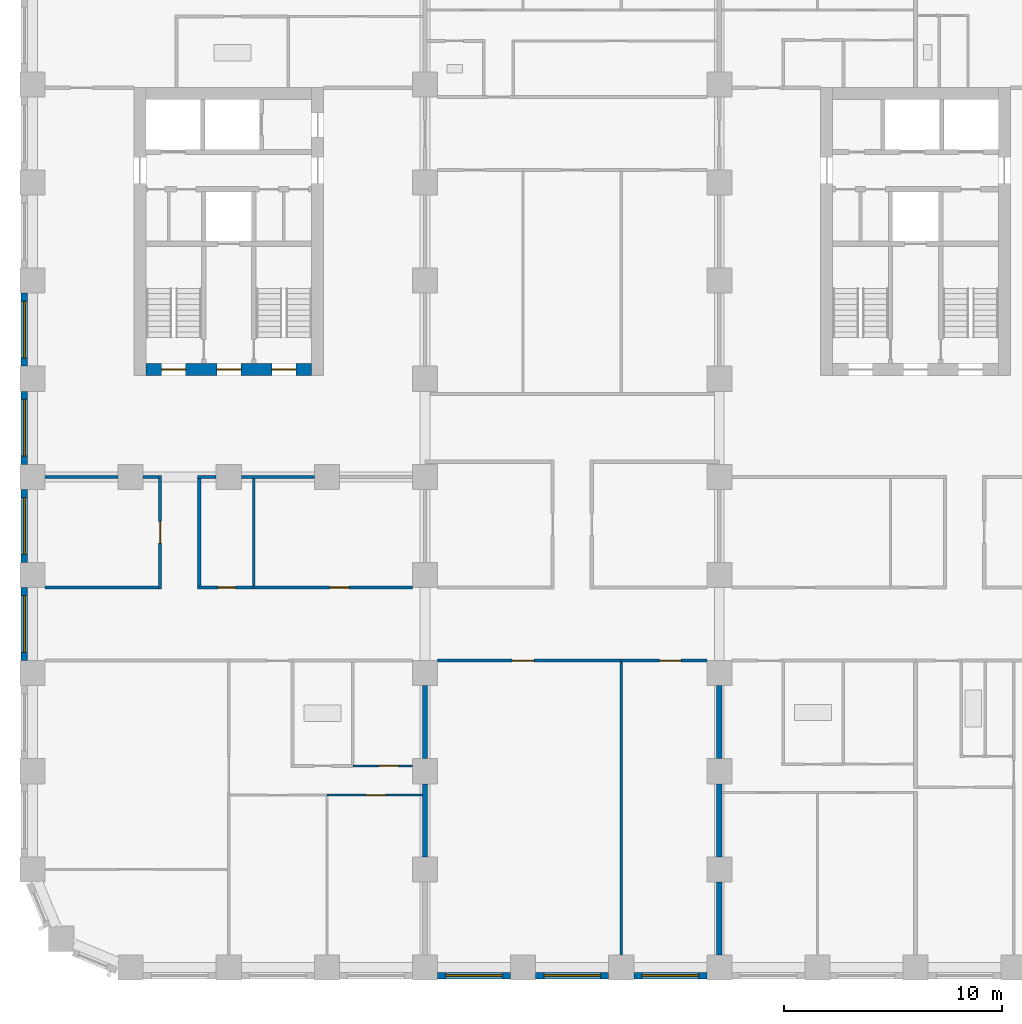
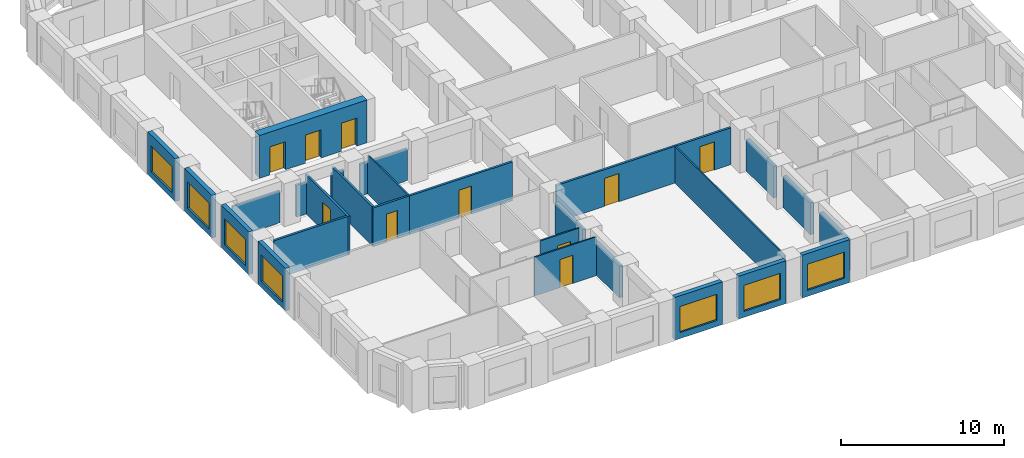
# One storey, part 3 of 13: 28 walls, 10 doors, 7 windows, 17 openings.
"""IFC4 building model written with IfcOpenShell, lengths in metres."""

from ifc_helpers import new_model, si_unit, direction, frame, frame_2d, origin, place, context, subcontext, project, spatial, rectangle, extrude, material, layer, layer_set, type_object, element, fill, save


model = new_model("IFC4")

# Units and contexts
model_context = context("Model", 3, precision=1e-05, world=origin(), true_north=direction((0.0, 1.0)))
body_context = subcontext(model_context, "Body", "Model", "MODEL_VIEW")
ifc_project = project(units=[si_unit("LENGTHUNIT", "METRE"), si_unit("AREAUNIT", "SQUARE_METRE"), si_unit("VOLUMEUNIT", "CUBIC_METRE"), si_unit("PLANEANGLEUNIT", "RADIAN"), si_unit("MASSUNIT", "GRAM", prefix="KILO")], contexts=[model_context])

# Site, building, storey
site_placement = place(None, origin())
site = spatial("IfcSite", under=ifc_project, at=site_placement, CompositionType="ELEMENT")
building_placement = place(site_placement, origin())
building = spatial("IfcBuilding", under=site, at=building_placement, Name="Girih Gate Residences", CompositionType="ELEMENT")
storey_placement = place(building_placement, frame((0.0, 0.0, 89.60009765625)))
storey = spatial("IfcBuildingStorey", under=building, at=storey_placement, Name="L24", CompositionType="ELEMENT", Elevation=89.60009765625)

# Walls
ifc_material_1 = material(Name="Gypsum board on steel studs", Category="steel")
ifc_layer_1 = layer(ifc_material_1, 0.25)
ifc_layer_set_1 = layer_set([ifc_layer_1], Name="Acoustic separating wall 250 mm")
wall_type_1 = type_object("IfcWallType", Name="Acoustic separating wall 250 mm", PredefinedType="PARTITIONING", material=ifc_layer_set_1)
for number, where, z_axis, x_axis, name in (
    (1, (18.0, 5.074951171875, 0.0), (0.0, 0.0, 1.0), (0.0, 1.0, 0.0), "L24 partition"),
    (2, (18.0, 9.574951171875, 0.0), (0.0, 0.0, 1.0), (0.0, 1.0, 0.0), "L24 partition"),
    (3, (31.5, 9.574951171875, 0.0), (0.0, 0.0, 1.0), (0.0, 1.0, 0.0), "L24 partition"),
    (4, (31.5, 0.574951171875, 0.0), (0.0, 0.0, 1.0), (0.0, 1.0, 0.0), "L24 partition"),
    (5, (31.5, 5.074951171875, 0.0), (0.0, 0.0, 1.0), (0.0, 1.0, 0.0), "L24 partition"),
):
    element("IfcWall", number, at=place(storey_placement, frame(where, z_axis=z_axis, x_axis=x_axis)), inside=storey, type_object=wall_type_1, Name=name, PredefinedType="PARTITIONING", context=body_context, shape_type="SweptSolid", body=[
        extrude(rectangle(XDim=3.35009765625, YDim=0.25, at=frame_2d((1.675048828125, 0.0))), origin(), (0.0, 0.0, 1.0), 2.3798828125),
    ])

# Wall, opening, door
ifc_layer_2 = layer(ifc_material_1, 0.14990234375)
ifc_layer_set_2 = layer_set([ifc_layer_2], Name="Compartment wall 150 mm")
wall_type_2 = type_object("IfcWallType", Name="Compartment wall 150 mm", PredefinedType="PARTITIONING", material=ifc_layer_set_2)
wall_1_placement = place(storey_placement, frame((27.0, 14.074951171875, 0.0), z_axis=(0.0, 0.0, 1.0), x_axis=(-1.0, 0.0, 0.0)))
wall_1 = element("IfcWall", 6, at=wall_1_placement, inside=storey, type_object=wall_type_2, Name="L24 partition", PredefinedType="PARTITIONING", context=body_context, shape_type="SweptSolid", body=[
    extrude(rectangle(XDim=8.425048828125, YDim=0.14990234375, at=frame_2d((4.21240234375, 0.0))), origin(), (0.0, 0.0, 1.0), 2.75),
])
opening_1_placement = place(wall_1_placement, frame((4.0, 0.0, 0.0)))
opening_1 = element("IfcOpeningElement", 7, at=opening_1_placement, cuts=wall_1, Name="Opening A24-046", PredefinedType="OPENING", context=body_context, shape_type="SweptSolid", body=[
    extrude(rectangle(XDim=1.0, YDim=2.10009765625, at=frame_2d((0.5, 1.050048828125))), frame((0.0, 0.0849609375, 0.0), z_axis=(0.0, -1.0, 0.0), x_axis=(1.0, 0.0, 0.0)), (0.0, 0.0, 1.0), 0.169921875),
])
ifc_material_2 = material(Name="Timber, fire-rated core", Category="wood")
door_type_1 = type_object("IfcDoorType", Name="Amenity room door 1000x2100 FD30S", OperationType="NOTDEFINED", PredefinedType="DOOR", material=ifc_material_2)
door_1_placement = place(opening_1_placement, origin())
door_1 = element("IfcDoor", 8, at=door_1_placement, inside=storey, type_object=door_type_1, Name="Door A24-046", OperationType="SINGLE_SWING_RIGHT", OverallHeight=2.10009765625, OverallWidth=1.0, PredefinedType="DOOR", context=body_context, shape_type="SweptSolid", body=[
    extrude(rectangle(XDim=1.0, YDim=2.10009765625, at=frame_2d((0.5, 1.050048828125))), frame((0.0, 0.02490234375, 0.0), z_axis=(0.0, -1.0, 0.0), x_axis=(1.0, 0.0, 0.0)), (0.0, 0.0, 1.0), 0.050048828125),
])
fill(opening_1, door_1)

wall_2_placement = place(storey_placement, frame((30.925048828125, 14.074951171875, 0.0), z_axis=(0.0, 0.0, 1.0), x_axis=(-1.0, 0.0, 0.0)))
wall_2 = element("IfcWall", 9, at=wall_2_placement, inside=storey, type_object=wall_type_2, Name="L24 partition", PredefinedType="PARTITIONING", context=body_context, shape_type="SweptSolid", body=[
    extrude(rectangle(XDim=3.925048828125, YDim=0.14990234375, at=frame_2d((1.96240234375, 0.0))), origin(), (0.0, 0.0, 1.0), 2.75),
])
opening_2_placement = place(wall_2_placement, frame((1.175048828125, 0.0, 0.0)))
opening_2 = element("IfcOpeningElement", 10, at=opening_2_placement, cuts=wall_2, Name="Opening A24-047", PredefinedType="OPENING", context=body_context, shape_type="SweptSolid", body=[
    extrude(rectangle(XDim=1.0, YDim=2.10009765625, at=frame_2d((0.5, 1.050048828125))), frame((0.0, 0.0849609375, 0.0), z_axis=(0.0, -1.0, 0.0), x_axis=(1.0, 0.0, 0.0)), (0.0, 0.0, 1.0), 0.169921875),
])
door_2_placement = place(opening_2_placement, origin())
door_2 = element("IfcDoor", 11, at=door_2_placement, inside=storey, type_object=door_type_1, Name="Door A24-047", OperationType="SINGLE_SWING_LEFT", OverallHeight=2.10009765625, OverallWidth=1.0, PredefinedType="DOOR", context=body_context, shape_type="SweptSolid", body=[
    extrude(rectangle(XDim=1.0, YDim=2.10009765625, at=frame_2d((0.5, 1.050048828125))), frame((0.0, 0.02490234375, 0.0), z_axis=(0.0, -1.0, 0.0), x_axis=(1.0, 0.0, 0.0)), (0.0, 0.0, 1.0), 0.050048828125),
])
fill(opening_2, door_2)

wall_3_placement = place(storey_placement, frame((10.14990234375, 17.425048828125, 0.0), z_axis=(0.0, 0.0, 1.0), x_axis=(1.0, 0.0, 0.0)))
wall_3 = element("IfcWall", 12, at=wall_3_placement, inside=storey, type_object=wall_type_2, Name="L24 partition", PredefinedType="PARTITIONING", context=body_context, shape_type="SweptSolid", body=[
    extrude(rectangle(XDim=7.275146484375, YDim=0.14990234375, at=frame_2d((3.6376953125, 0.0))), origin(), (0.0, 0.0, 1.0), 2.89990234375),
])
opening_3_placement = place(wall_3_placement, frame((3.47509765625, 0.0, 0.0)))
opening_3 = element("IfcOpeningElement", 13, at=opening_3_placement, cuts=wall_3, Name="Opening A24-051", PredefinedType="OPENING", context=body_context, shape_type="SweptSolid", body=[
    extrude(rectangle(XDim=0.89990234375, YDim=2.10009765625, at=frame_2d((0.449951171875, 1.050048828125))), frame((0.0, 0.0849609375, 0.0), z_axis=(0.0, -1.0, 0.0), x_axis=(1.0, 0.0, 0.0)), (0.0, 0.0, 1.0), 0.169921875),
])
ifc_material_3 = material(Name="Timber", Category="wood")
door_type_2 = type_object("IfcDoorType", Name="Service room door 900x2100", OperationType="NOTDEFINED", PredefinedType="DOOR", material=ifc_material_3)
door_3_placement = place(opening_3_placement, origin())
door_3 = element("IfcDoor", 14, at=door_3_placement, inside=storey, type_object=door_type_2, Name="Door A24-051", OperationType="SINGLE_SWING_RIGHT", OverallHeight=2.10009765625, OverallWidth=0.89990234375, PredefinedType="DOOR", context=body_context, shape_type="SweptSolid", body=[
    extrude(rectangle(XDim=0.89990234375, YDim=2.10009765625, at=frame_2d((0.449951171875, 1.050048828125))), frame((0.0, 0.02490234375, 0.0), z_axis=(0.0, -1.0, 0.0), x_axis=(1.0, 0.0, 0.0)), (0.0, 0.0, 1.0), 0.050048828125),
])
fill(opening_3, door_3)

wall_4_placement = place(storey_placement, frame((7.574951171875, 17.425048828125, 0.0), z_axis=(0.0, 0.0, 1.0), x_axis=(1.0, 0.0, 0.0)))
wall_4 = element("IfcWall", 15, at=wall_4_placement, inside=storey, type_object=wall_type_2, Name="L24 partition", PredefinedType="PARTITIONING", context=body_context, shape_type="SweptSolid", body=[
    extrude(rectangle(XDim=2.574951171875, YDim=0.14990234375, at=frame_2d((1.28759765625, 0.0))), origin(), (0.0, 0.0, 1.0), 2.89990234375),
])
opening_4_placement = place(wall_4_placement, frame((0.925048828125, 0.0, 0.0)))
opening_4 = element("IfcOpeningElement", 16, at=opening_4_placement, cuts=wall_4, Name="Opening A24-053", PredefinedType="OPENING", context=body_context, shape_type="SweptSolid", body=[
    extrude(rectangle(XDim=0.800048828125, YDim=2.10009765625, at=frame_2d((0.39990234375, 1.050048828125))), frame((0.0, 0.0849609375, 0.0), z_axis=(0.0, -1.0, 0.0), x_axis=(1.0, 0.0, 0.0)), (0.0, 0.0, 1.0), 0.169921875),
])
door_type_3 = type_object("IfcDoorType", Name="Bathroom door 800x2100", OperationType="NOTDEFINED", PredefinedType="DOOR", material=ifc_material_3)
door_4_placement = place(opening_4_placement, origin())
door_4 = element("IfcDoor", 17, at=door_4_placement, inside=storey, type_object=door_type_3, Name="Door A24-053", OperationType="SINGLE_SWING_RIGHT", OverallHeight=2.10009765625, OverallWidth=0.800048828125, PredefinedType="DOOR", context=body_context, shape_type="SweptSolid", body=[
    extrude(rectangle(XDim=0.800048828125, YDim=2.10009765625, at=frame_2d((0.39990234375, 1.050048828125))), frame((0.0, 0.02490234375, 0.0), z_axis=(0.0, -1.0, 0.0), x_axis=(1.0, 0.0, 0.0)), (0.0, 0.0, 1.0), 0.050048828125),
])
fill(opening_4, door_4)

# Walls
wall_5_placement = place(storey_placement, frame((0.574951171875, 17.425048828125, 0.0), z_axis=(0.0, 0.0, 1.0), x_axis=(1.0, 0.0, 0.0)))
element("IfcWall", 18, at=wall_5_placement, inside=storey, type_object=wall_type_2, Name="L24 partition", PredefinedType="PARTITIONING", context=body_context, shape_type="SweptSolid", body=[
    extrude(rectangle(XDim=5.199951171875, YDim=0.14990234375, at=frame_2d((2.60009765625, 0.0))), origin(), (0.0, 0.0, 1.0), 2.89990234375),
])
wall_6_placement = place(storey_placement, frame((9.574951171875, 22.5, 0.0), z_axis=(0.0, 0.0, 1.0), x_axis=(1.0, 0.0, 0.0)))
element("IfcWall", 19, at=wall_6_placement, inside=storey, type_object=wall_type_2, Name="L24 partition", PredefinedType="PARTITIONING", context=body_context, shape_type="SweptSolid", body=[
    extrude(rectangle(XDim=3.35009765625, YDim=0.14990234375, at=frame_2d((1.675048828125, 0.0))), origin(), (0.0, 0.0, 1.0), 2.3798828125),
])
wall_7_placement = place(storey_placement, frame((7.574951171875, 22.5, 0.0), z_axis=(0.0, 0.0, 1.0), x_axis=(1.0, 0.0, 0.0)))
element("IfcWall", 20, at=wall_7_placement, inside=storey, type_object=wall_type_2, Name="L24 partition", PredefinedType="PARTITIONING", context=body_context, shape_type="SweptSolid", body=[
    extrude(rectangle(XDim=0.85009765625, YDim=0.14990234375, at=frame_2d((0.425048828125, 0.0))), origin(), (0.0, 0.0, 1.0), 2.3798828125),
])
wall_8_placement = place(storey_placement, frame((5.074951171875, 22.5, 0.0), z_axis=(0.0, 0.0, 1.0), x_axis=(1.0, 0.0, 0.0)))
element("IfcWall", 21, at=wall_8_placement, inside=storey, type_object=wall_type_2, Name="L24 partition", PredefinedType="PARTITIONING", context=body_context, shape_type="SweptSolid", body=[
    extrude(rectangle(XDim=0.699951171875, YDim=0.14990234375, at=frame_2d((0.35009765625, 0.0))), origin(), (0.0, 0.0, 1.0), 2.3798828125),
])
wall_9_placement = place(storey_placement, frame((0.574951171875, 22.5, 0.0), z_axis=(0.0, 0.0, 1.0), x_axis=(1.0, 0.0, 0.0)))
element("IfcWall", 22, at=wall_9_placement, inside=storey, type_object=wall_type_2, Name="L24 partition", PredefinedType="PARTITIONING", context=body_context, shape_type="SweptSolid", body=[
    extrude(rectangle(XDim=3.35009765625, YDim=0.14990234375, at=frame_2d((1.675048828125, 0.0))), origin(), (0.0, 0.0, 1.0), 2.3798828125),
])
wall_10_placement = place(storey_placement, frame((7.64990234375, 17.5, 0.0), z_axis=(0.0, 0.0, 1.0), x_axis=(0.0, 1.0, 0.0)))
element("IfcWall", 23, at=wall_10_placement, inside=storey, type_object=wall_type_2, Name="L24 partition", PredefinedType="PARTITIONING", context=body_context, shape_type="SweptSolid", body=[
    extrude(rectangle(XDim=4.925048828125, YDim=0.14990234375, at=frame_2d((2.46240234375, 0.0))), origin(), (0.0, 0.0, 1.0), 2.89990234375),
])

# Wall, opening, door
wall_11_placement = place(storey_placement, frame((5.85009765625, 17.35009765625, 0.0), z_axis=(0.0, 0.0, 1.0), x_axis=(0.0, 1.0, 0.0)))
wall_11 = element("IfcWall", 24, at=wall_11_placement, inside=storey, type_object=wall_type_2, Name="L24 partition", PredefinedType="PARTITIONING", context=body_context, shape_type="SweptSolid", body=[
    extrude(rectangle(XDim=5.224853515625, YDim=0.14990234375, at=frame_2d((2.6123046875, 0.0))), origin(), (0.0, 0.0, 1.0), 2.89990234375),
])
opening_5_placement = place(wall_11_placement, frame((2.112548828125, 0.0, 0.0)))
opening_5 = element("IfcOpeningElement", 25, at=opening_5_placement, cuts=wall_11, Name="Opening A24-055", PredefinedType="OPENING", context=body_context, shape_type="SweptSolid", body=[
    extrude(rectangle(XDim=1.0, YDim=2.10009765625, at=frame_2d((0.5, 1.050048828125))), frame((0.0, 0.0849609375, 0.0), z_axis=(0.0, -1.0, 0.0), x_axis=(1.0, 0.0, 0.0)), (0.0, 0.0, 1.0), 0.169921875),
])
door_5_placement = place(opening_5_placement, origin())
door_5 = element("IfcDoor", 26, at=door_5_placement, inside=storey, type_object=door_type_1, Name="Door A24-055", OperationType="SINGLE_SWING_LEFT", OverallHeight=2.10009765625, OverallWidth=1.0, PredefinedType="DOOR", context=body_context, shape_type="SweptSolid", body=[
    extrude(rectangle(XDim=1.0, YDim=2.10009765625, at=frame_2d((0.5, 1.050048828125))), frame((0.0, 0.02490234375, 0.0), z_axis=(0.0, -1.0, 0.0), x_axis=(1.0, 0.0, 0.0)), (0.0, 0.0, 1.0), 0.050048828125),
])
fill(opening_5, door_5)

# Wall, openings, doors
ifc_material_4 = material(Name="Concrete C60/75", Category="concrete")
ifc_layer_3 = layer(ifc_material_4, 0.550048828125)
ifc_layer_set_3 = layer_set([ifc_layer_3], Name="Core wall RC 550 Concrete C60/75")
wall_type_3 = type_object("IfcWallType", Name="Core wall RC 550 Concrete C60/75", PredefinedType="SOLIDWALL", material=ifc_layer_set_3)
wall_12_placement = place(storey_placement, frame((5.199951171875, 27.425048828125, 0.0), z_axis=(0.0, 0.0, 1.0), x_axis=(1.0, 0.0, 0.0)))
wall_12 = element("IfcWall", 27, at=wall_12_placement, inside=storey, type_object=wall_type_3, Name="Core wall W-S L24", PredefinedType="SOLIDWALL", context=body_context, shape_type="SweptSolid", body=[
    extrude(rectangle(XDim=7.60009765625, YDim=0.550048828125, at=frame_2d((3.800048828125, 0.0))), origin(), (0.0, 0.0, 1.0), 3.199951171875),
])
opening_6_placement = place(wall_12_placement, frame((0.72509765625, 0.0, 0.0)))
opening_6 = element("IfcOpeningElement", 28, at=opening_6_placement, cuts=wall_12, Name="Opening D-L24-W-010", PredefinedType="OPENING", context=body_context, shape_type="SweptSolid", body=[
    extrude(rectangle(XDim=1.10009765625, YDim=2.10009765625, at=frame_2d((0.550048828125, 1.050048828125))), frame((0.0, 0.284912109375, 0.0), z_axis=(0.0, -1.0, 0.0), x_axis=(1.0, 0.0, 0.0)), (0.0, 0.0, 1.0), 0.570068359375),
])
opening_7_placement = place(wall_12_placement, frame((3.25, 0.0, 0.0)))
opening_7 = element("IfcOpeningElement", 29, at=opening_7_placement, cuts=wall_12, Name="Opening D-L24-W-011", PredefinedType="OPENING", context=body_context, shape_type="SweptSolid", body=[
    extrude(rectangle(XDim=1.10009765625, YDim=2.10009765625, at=frame_2d((0.550048828125, 1.050048828125))), frame((0.0, 0.284912109375, 0.0), z_axis=(0.0, -1.0, 0.0), x_axis=(1.0, 0.0, 0.0)), (0.0, 0.0, 1.0), 0.570068359375),
])
opening_8_placement = place(wall_12_placement, frame((5.77490234375, 0.0, 0.0)))
opening_8 = element("IfcOpeningElement", 30, at=opening_8_placement, cuts=wall_12, Name="Opening D-L24-W-012", PredefinedType="OPENING", context=body_context, shape_type="SweptSolid", body=[
    extrude(rectangle(XDim=1.10009765625, YDim=2.10009765625, at=frame_2d((0.550048828125, 1.050048828125))), frame((0.0, 0.284912109375, 0.0), z_axis=(0.0, -1.0, 0.0), x_axis=(1.0, 0.0, 0.0)), (0.0, 0.0, 1.0), 0.570068359375),
])
ifc_material_5 = material(Name="Painted steel, fire-resisting", Category="steel")
door_type_4 = type_object("IfcDoorType", Name="Fire door 1100x2100", OperationType="SINGLE_SWING_LEFT", PredefinedType="DOOR", material=ifc_material_5)
door_6_placement = place(opening_6_placement, origin())
door_6 = element("IfcDoor", 31, at=door_6_placement, inside=storey, type_object=door_type_4, Name="L24 W core door sta-out", OperationType="SINGLE_SWING_LEFT", OverallHeight=2.10009765625, OverallWidth=1.10009765625, PredefinedType="DOOR", context=body_context, shape_type="SweptSolid", body=[
    extrude(rectangle(XDim=1.10009765625, YDim=2.10009765625, at=frame_2d((0.550048828125, 1.050048828125))), frame((0.0, 0.02490234375, 0.0), z_axis=(0.0, -1.0, 0.0), x_axis=(1.0, 0.0, 0.0)), (0.0, 0.0, 1.0), 0.050048828125),
])
fill(opening_6, door_6)
door_7_placement = place(opening_7_placement, origin())
door_7 = element("IfcDoor", 32, at=door_7_placement, inside=storey, type_object=door_type_4, Name="L24 W core door ffl-out", OperationType="SINGLE_SWING_LEFT", OverallHeight=2.10009765625, OverallWidth=1.10009765625, PredefinedType="DOOR", context=body_context, shape_type="SweptSolid", body=[
    extrude(rectangle(XDim=1.10009765625, YDim=2.10009765625, at=frame_2d((0.550048828125, 1.050048828125))), frame((0.0, 0.02490234375, 0.0), z_axis=(0.0, -1.0, 0.0), x_axis=(1.0, 0.0, 0.0)), (0.0, 0.0, 1.0), 0.050048828125),
])
fill(opening_7, door_7)
door_8_placement = place(opening_8_placement, origin())
door_8 = element("IfcDoor", 33, at=door_8_placement, inside=storey, type_object=door_type_4, Name="L24 W core door stb-out", OperationType="SINGLE_SWING_LEFT", OverallHeight=2.10009765625, OverallWidth=1.10009765625, PredefinedType="DOOR", context=body_context, shape_type="SweptSolid", body=[
    extrude(rectangle(XDim=1.10009765625, YDim=2.10009765625, at=frame_2d((0.550048828125, 1.050048828125))), frame((0.0, 0.02490234375, 0.0), z_axis=(0.0, -1.0, 0.0), x_axis=(1.0, 0.0, 0.0)), (0.0, 0.0, 1.0), 0.050048828125),
])
fill(opening_8, door_8)

# Wall, opening, door
ifc_layer_4 = layer(ifc_material_1, 0.10009765625)
ifc_layer_set_4 = layer_set([ifc_layer_4], Name="Partition 100 mm")
wall_type_4 = type_object("IfcWallType", Name="Partition 100 mm", PredefinedType="PARTITIONING", material=ifc_layer_set_4)
wall_13_placement = place(storey_placement, frame((17.875, 7.905029296875, 0.0), z_axis=(0.0, 0.0, 1.0), x_axis=(-1.0, 0.0, 0.0)))
wall_13 = element("IfcWall", 34, at=wall_13_placement, inside=storey, type_object=wall_type_4, Name="L24 partition", PredefinedType="PARTITIONING", context=body_context, shape_type="SweptSolid", body=[
    extrude(rectangle(XDim=4.375, YDim=0.10009765625, at=frame_2d((2.1875, 0.0))), origin(), (0.0, 0.0, 1.0), 2.89990234375),
])
opening_9_placement = place(wall_13_placement, frame((1.675048828125, 0.0, 0.0)))
opening_9 = element("IfcOpeningElement", 35, at=opening_9_placement, cuts=wall_13, Name="Opening A24-003", PredefinedType="OPENING", context=body_context, shape_type="SweptSolid", body=[
    extrude(rectangle(XDim=0.89990234375, YDim=2.10009765625, at=frame_2d((0.449951171875, 1.050048828125))), frame((0.0, 0.06005859375, 0.0), z_axis=(0.0, -1.0, 0.0), x_axis=(1.0, 0.0, 0.0)), (0.0, 0.0, 1.0), 0.1201171875),
])
door_type_5 = type_object("IfcDoorType", Name="Bedroom door 900x2100", OperationType="NOTDEFINED", PredefinedType="DOOR", material=ifc_material_3)
door_9_placement = place(opening_9_placement, origin())
door_9 = element("IfcDoor", 36, at=door_9_placement, inside=storey, type_object=door_type_5, Name="Door A24-003", OperationType="SINGLE_SWING_LEFT", OverallHeight=2.10009765625, OverallWidth=0.89990234375, PredefinedType="DOOR", context=body_context, shape_type="SweptSolid", body=[
    extrude(rectangle(XDim=0.89990234375, YDim=2.10009765625, at=frame_2d((0.449951171875, 1.050048828125))), frame((0.0, 0.02490234375, 0.0), z_axis=(0.0, -1.0, 0.0), x_axis=(1.0, 0.0, 0.0)), (0.0, 0.0, 1.0), 0.050048828125),
])
fill(opening_9, door_9)

wall_14_placement = place(storey_placement, frame((14.6904296875, 9.2451171875, 0.0), z_axis=(0.0, 0.0, 1.0), x_axis=(1.0, 0.0, 0.0)))
wall_14 = element("IfcWall", 37, at=wall_14_placement, inside=storey, type_object=wall_type_4, Name="L24 partition", PredefinedType="PARTITIONING", context=body_context, shape_type="SweptSolid", body=[
    extrude(rectangle(XDim=2.734619140625, YDim=0.10009765625, at=frame_2d((1.3671875, 0.0))), origin(), (0.0, 0.0, 1.0), 2.89990234375),
])
opening_10_placement = place(wall_14_placement, frame((1.20458984375, 0.0, 0.0)))
opening_10 = element("IfcOpeningElement", 38, at=opening_10_placement, cuts=wall_14, Name="Opening A24-006", PredefinedType="OPENING", context=body_context, shape_type="SweptSolid", body=[
    extrude(rectangle(XDim=0.89990234375, YDim=2.10009765625, at=frame_2d((0.449951171875, 1.050048828125))), frame((0.0, 0.06005859375, 0.0), z_axis=(0.0, -1.0, 0.0), x_axis=(1.0, 0.0, 0.0)), (0.0, 0.0, 1.0), 0.1201171875),
])
door_type_6 = type_object("IfcDoorType", Name="Kitchen door 900x2100", OperationType="NOTDEFINED", PredefinedType="DOOR", material=ifc_material_3)
door_10_placement = place(opening_10_placement, origin())
door_10 = element("IfcDoor", 39, at=door_10_placement, inside=storey, type_object=door_type_6, Name="Door A24-006", OperationType="SINGLE_SWING_RIGHT", OverallHeight=2.10009765625, OverallWidth=0.89990234375, PredefinedType="DOOR", context=body_context, shape_type="SweptSolid", body=[
    extrude(rectangle(XDim=0.89990234375, YDim=2.10009765625, at=frame_2d((0.449951171875, 1.050048828125))), frame((0.0, 0.02490234375, 0.0), z_axis=(0.0, -1.0, 0.0), x_axis=(1.0, 0.0, 0.0)), (0.0, 0.0, 1.0), 0.050048828125),
])
fill(opening_10, door_10)

# Walls
wall_15_placement = place(storey_placement, frame((27.0, 0.574951171875, 0.0), z_axis=(0.0, 0.0, 1.0), x_axis=(0.0, 1.0, 0.0)))
element("IfcWall", 40, at=wall_15_placement, inside=storey, type_object=wall_type_4, Name="L24 partition", PredefinedType="PARTITIONING", context=body_context, shape_type="SweptSolid", body=[
    extrude(rectangle(XDim=13.425048828125, YDim=0.10009765625, at=frame_2d((6.71240234375, 0.0))), origin(), (0.0, 0.0, 1.0), 2.75),
])
wall_16_placement = place(storey_placement, frame((10.14990234375, 17.5, 0.0), z_axis=(0.0, 0.0, 1.0), x_axis=(0.0, 1.0, 0.0)))
element("IfcWall", 41, at=wall_16_placement, inside=storey, type_object=wall_type_4, Name="L24 partition", PredefinedType="PARTITIONING", context=body_context, shape_type="SweptSolid", body=[
    extrude(rectangle(XDim=4.925048828125, YDim=0.10009765625, at=frame_2d((2.46240234375, 0.0))), origin(), (0.0, 0.0, 1.0), 2.89990234375),
])

# Wall, opening, window
ifc_material_6 = material(Name="Precast concrete C50/60", Category="concrete")
ifc_layer_5 = layer(ifc_material_6, 0.080078125, Name="Outer leaf")
ifc_material_7 = material(Name="Rigid PIR insulation")
ifc_layer_6 = layer(ifc_material_7, 0.14990234375, Name="Insulation")
ifc_material_8 = material(Name="Precast concrete C40/50", Category="concrete")
ifc_layer_7 = layer(ifc_material_8, 0.070068359375, Name="Inner leaf")
ifc_layer_set_5 = layer_set([ifc_layer_5, ifc_layer_6, ifc_layer_7], Name="Precast concrete C50/60 external wall 300")
wall_type_5 = type_object("IfcWallType", Name="Precast concrete C50/60 external wall 300", PredefinedType="SOLIDWALL", material=ifc_layer_set_5)
wall_17_placement = place(storey_placement, frame((21.925048828125, -0.375, 0.0), z_axis=(0.0, 0.0, 1.0), x_axis=(-1.0, 0.0, 0.0)))
wall_17 = element("IfcWall", 42, at=wall_17_placement, inside=storey, type_object=wall_type_5, Name="External wall S0045_0000.3", PredefinedType="SOLIDWALL", context=body_context, shape_type="SweptSolid", body=[
    extrude(rectangle(XDim=3.35009765625, YDim=0.300048828125, at=frame_2d((1.675048828125, 0.0))), origin(), (0.0, 0.0, 1.0), 3.199951171875),
])
opening_11_placement = place(wall_17_placement, frame((0.375, 0.0, 0.449951171875)))
opening_11 = element("IfcOpeningElement", 43, at=opening_11_placement, cuts=wall_17, Name="Opening W-1A", PredefinedType="OPENING", context=body_context, shape_type="SweptSolid", body=[
    extrude(rectangle(XDim=2.60009765625, YDim=1.949951171875, at=frame_2d((1.300048828125, 0.97509765625))), frame((0.0, 0.159912109375, 0.0), z_axis=(0.0, -1.0, 0.0), x_axis=(1.0, 0.0, 0.0)), (0.0, 0.0, 1.0), 0.320068359375),
])
ifc_material_9 = material(Name="Double glazing in aluminium frame", Category="aluminium")
window_type = type_object("IfcWindowType", Name="Window W-1A 2600x1950", PartitioningType="SINGLE_PANEL", PredefinedType="WINDOW", material=ifc_material_9)
window_1_placement = place(opening_11_placement, origin())
window_1 = element("IfcWindow", 44, at=window_1_placement, inside=storey, type_object=window_type, Name="Window W-1A S0045_0000.3", OverallHeight=1.949951171875, OverallWidth=2.60009765625, PartitioningType="SINGLE_PANEL", PredefinedType="WINDOW", context=body_context, shape_type="SweptSolid", body=[
    extrude(rectangle(XDim=2.60009765625, YDim=1.949951171875, at=frame_2d((1.300048828125, 0.97509765625))), frame((0.0, 0.030029296875, 0.0), z_axis=(0.0, -1.0, 0.0), x_axis=(1.0, 0.0, 0.0)), (0.0, 0.0, 1.0), 0.06005859375),
])
fill(opening_11, window_1)

wall_18_placement = place(storey_placement, frame((26.425048828125, -0.375, 0.0), z_axis=(0.0, 0.0, 1.0), x_axis=(-1.0, 0.0, 0.0)))
wall_18 = element("IfcWall", 45, at=wall_18_placement, inside=storey, type_object=wall_type_5, Name="External wall S0045_0000.4", PredefinedType="SOLIDWALL", context=body_context, shape_type="SweptSolid", body=[
    extrude(rectangle(XDim=3.35009765625, YDim=0.300048828125, at=frame_2d((1.675048828125, 0.0))), origin(), (0.0, 0.0, 1.0), 3.199951171875),
])
opening_12_placement = place(wall_18_placement, frame((0.375, 0.0, 0.449951171875)))
opening_12 = element("IfcOpeningElement", 46, at=opening_12_placement, cuts=wall_18, Name="Opening W-1A", PredefinedType="OPENING", context=body_context, shape_type="SweptSolid", body=[
    extrude(rectangle(XDim=2.60009765625, YDim=1.949951171875, at=frame_2d((1.300048828125, 0.97509765625))), frame((0.0, 0.159912109375, 0.0), z_axis=(0.0, -1.0, 0.0), x_axis=(1.0, 0.0, 0.0)), (0.0, 0.0, 1.0), 0.320068359375),
])
window_2_placement = place(opening_12_placement, origin())
window_2 = element("IfcWindow", 47, at=window_2_placement, inside=storey, type_object=window_type, Name="Window W-1A S0045_0000.4", OverallHeight=1.949951171875, OverallWidth=2.60009765625, PartitioningType="SINGLE_PANEL", PredefinedType="WINDOW", context=body_context, shape_type="SweptSolid", body=[
    extrude(rectangle(XDim=2.60009765625, YDim=1.949951171875, at=frame_2d((1.300048828125, 0.97509765625))), frame((0.0, 0.030029296875, 0.0), z_axis=(0.0, -1.0, 0.0), x_axis=(1.0, 0.0, 0.0)), (0.0, 0.0, 1.0), 0.06005859375),
])
fill(opening_12, window_2)

wall_19_placement = place(storey_placement, frame((30.925048828125, -0.375, 0.0), z_axis=(0.0, 0.0, 1.0), x_axis=(-1.0, 0.0, 0.0)))
wall_19 = element("IfcWall", 48, at=wall_19_placement, inside=storey, type_object=wall_type_5, Name="External wall S0045_0000.5", PredefinedType="SOLIDWALL", context=body_context, shape_type="SweptSolid", body=[
    extrude(rectangle(XDim=3.35009765625, YDim=0.300048828125, at=frame_2d((1.675048828125, 0.0))), origin(), (0.0, 0.0, 1.0), 3.199951171875),
])
opening_13_placement = place(wall_19_placement, frame((0.375, 0.0, 0.449951171875)))
opening_13 = element("IfcOpeningElement", 49, at=opening_13_placement, cuts=wall_19, Name="Opening W-1A", PredefinedType="OPENING", context=body_context, shape_type="SweptSolid", body=[
    extrude(rectangle(XDim=2.60009765625, YDim=1.949951171875, at=frame_2d((1.300048828125, 0.97509765625))), frame((0.0, 0.159912109375, 0.0), z_axis=(0.0, -1.0, 0.0), x_axis=(1.0, 0.0, 0.0)), (0.0, 0.0, 1.0), 0.320068359375),
])
window_3_placement = place(opening_13_placement, origin())
window_3 = element("IfcWindow", 50, at=window_3_placement, inside=storey, type_object=window_type, Name="Window W-1A S0045_0000.5", OverallHeight=1.949951171875, OverallWidth=2.60009765625, PartitioningType="SINGLE_PANEL", PredefinedType="WINDOW", context=body_context, shape_type="SweptSolid", body=[
    extrude(rectangle(XDim=2.60009765625, YDim=1.949951171875, at=frame_2d((1.300048828125, 0.97509765625))), frame((0.0, 0.030029296875, 0.0), z_axis=(0.0, -1.0, 0.0), x_axis=(1.0, 0.0, 0.0)), (0.0, 0.0, 1.0), 0.06005859375),
])
fill(opening_13, window_3)

wall_20_placement = place(storey_placement, frame((-0.375, 27.574951171875, 0.0), z_axis=(0.0, 0.0, 1.0), x_axis=(0.0, 1.0, 0.0)))
wall_20 = element("IfcWall", 51, at=wall_20_placement, inside=storey, type_object=wall_type_5, Name="External wall W0000_0450.3", PredefinedType="SOLIDWALL", context=body_context, shape_type="SweptSolid", body=[
    extrude(rectangle(XDim=3.35009765625, YDim=0.300048828125, at=frame_2d((1.675048828125, 0.0))), origin(), (0.0, 0.0, 1.0), 3.199951171875),
])
opening_14_placement = place(wall_20_placement, frame((0.375, 0.0, 0.449951171875)))
opening_14 = element("IfcOpeningElement", 52, at=opening_14_placement, cuts=wall_20, Name="Opening W-1A", PredefinedType="OPENING", context=body_context, shape_type="SweptSolid", body=[
    extrude(rectangle(XDim=2.60009765625, YDim=1.949951171875, at=frame_2d((1.300048828125, 0.97509765625))), frame((0.0, 0.159912109375, 0.0), z_axis=(0.0, -1.0, 0.0), x_axis=(1.0, 0.0, 0.0)), (0.0, 0.0, 1.0), 0.320068359375),
])
window_4_placement = place(opening_14_placement, origin())
window_4 = element("IfcWindow", 53, at=window_4_placement, inside=storey, type_object=window_type, Name="Window W-1A W0000_0450.3", OverallHeight=1.949951171875, OverallWidth=2.60009765625, PartitioningType="SINGLE_PANEL", PredefinedType="WINDOW", context=body_context, shape_type="SweptSolid", body=[
    extrude(rectangle(XDim=2.60009765625, YDim=1.949951171875, at=frame_2d((1.300048828125, 0.97509765625))), frame((0.0, 0.030029296875, 0.0), z_axis=(0.0, -1.0, 0.0), x_axis=(1.0, 0.0, 0.0)), (0.0, 0.0, 1.0), 0.06005859375),
])
fill(opening_14, window_4)

wall_21_placement = place(storey_placement, frame((-0.375, 23.074951171875, 0.0), z_axis=(0.0, 0.0, 1.0), x_axis=(0.0, 1.0, 0.0)))
wall_21 = element("IfcWall", 54, at=wall_21_placement, inside=storey, type_object=wall_type_5, Name="External wall W0000_0450.4", PredefinedType="SOLIDWALL", context=body_context, shape_type="SweptSolid", body=[
    extrude(rectangle(XDim=3.35009765625, YDim=0.300048828125, at=frame_2d((1.675048828125, 0.0))), origin(), (0.0, 0.0, 1.0), 3.199951171875),
])
opening_15_placement = place(wall_21_placement, frame((0.375, 0.0, 0.449951171875)))
opening_15 = element("IfcOpeningElement", 55, at=opening_15_placement, cuts=wall_21, Name="Opening W-1A", PredefinedType="OPENING", context=body_context, shape_type="SweptSolid", body=[
    extrude(rectangle(XDim=2.60009765625, YDim=1.949951171875, at=frame_2d((1.300048828125, 0.97509765625))), frame((0.0, 0.159912109375, 0.0), z_axis=(0.0, -1.0, 0.0), x_axis=(1.0, 0.0, 0.0)), (0.0, 0.0, 1.0), 0.320068359375),
])
window_5_placement = place(opening_15_placement, origin())
window_5 = element("IfcWindow", 56, at=window_5_placement, inside=storey, type_object=window_type, Name="Window W-1A W0000_0450.4", OverallHeight=1.949951171875, OverallWidth=2.60009765625, PartitioningType="SINGLE_PANEL", PredefinedType="WINDOW", context=body_context, shape_type="SweptSolid", body=[
    extrude(rectangle(XDim=2.60009765625, YDim=1.949951171875, at=frame_2d((1.300048828125, 0.97509765625))), frame((0.0, 0.030029296875, 0.0), z_axis=(0.0, -1.0, 0.0), x_axis=(1.0, 0.0, 0.0)), (0.0, 0.0, 1.0), 0.06005859375),
])
fill(opening_15, window_5)

wall_22_placement = place(storey_placement, frame((-0.375, 18.574951171875, 0.0), z_axis=(0.0, 0.0, 1.0), x_axis=(0.0, 1.0, 0.0)))
wall_22 = element("IfcWall", 57, at=wall_22_placement, inside=storey, type_object=wall_type_5, Name="External wall W0000_0450.5", PredefinedType="SOLIDWALL", context=body_context, shape_type="SweptSolid", body=[
    extrude(rectangle(XDim=3.35009765625, YDim=0.300048828125, at=frame_2d((1.675048828125, 0.0))), origin(), (0.0, 0.0, 1.0), 3.199951171875),
])
opening_16_placement = place(wall_22_placement, frame((0.375, 0.0, 0.449951171875)))
opening_16 = element("IfcOpeningElement", 58, at=opening_16_placement, cuts=wall_22, Name="Opening W-1A", PredefinedType="OPENING", context=body_context, shape_type="SweptSolid", body=[
    extrude(rectangle(XDim=2.60009765625, YDim=1.949951171875, at=frame_2d((1.300048828125, 0.97509765625))), frame((0.0, 0.159912109375, 0.0), z_axis=(0.0, -1.0, 0.0), x_axis=(1.0, 0.0, 0.0)), (0.0, 0.0, 1.0), 0.320068359375),
])
window_6_placement = place(opening_16_placement, origin())
window_6 = element("IfcWindow", 59, at=window_6_placement, inside=storey, type_object=window_type, Name="Window W-1A W0000_0450.5", OverallHeight=1.949951171875, OverallWidth=2.60009765625, PartitioningType="SINGLE_PANEL", PredefinedType="WINDOW", context=body_context, shape_type="SweptSolid", body=[
    extrude(rectangle(XDim=2.60009765625, YDim=1.949951171875, at=frame_2d((1.300048828125, 0.97509765625))), frame((0.0, 0.030029296875, 0.0), z_axis=(0.0, -1.0, 0.0), x_axis=(1.0, 0.0, 0.0)), (0.0, 0.0, 1.0), 0.06005859375),
])
fill(opening_16, window_6)

wall_23_placement = place(storey_placement, frame((-0.375, 14.074951171875, 0.0), z_axis=(0.0, 0.0, 1.0), x_axis=(0.0, 1.0, 0.0)))
wall_23 = element("IfcWall", 60, at=wall_23_placement, inside=storey, type_object=wall_type_5, Name="External wall W0000_0450.6", PredefinedType="SOLIDWALL", context=body_context, shape_type="SweptSolid", body=[
    extrude(rectangle(XDim=3.35009765625, YDim=0.300048828125, at=frame_2d((1.675048828125, 0.0))), origin(), (0.0, 0.0, 1.0), 3.199951171875),
])
opening_17_placement = place(wall_23_placement, frame((0.375, 0.0, 0.449951171875)))
opening_17 = element("IfcOpeningElement", 61, at=opening_17_placement, cuts=wall_23, Name="Opening W-1A", PredefinedType="OPENING", context=body_context, shape_type="SweptSolid", body=[
    extrude(rectangle(XDim=2.60009765625, YDim=1.949951171875, at=frame_2d((1.300048828125, 0.97509765625))), frame((0.0, 0.159912109375, 0.0), z_axis=(0.0, -1.0, 0.0), x_axis=(1.0, 0.0, 0.0)), (0.0, 0.0, 1.0), 0.320068359375),
])
window_7_placement = place(opening_17_placement, origin())
window_7 = element("IfcWindow", 62, at=window_7_placement, inside=storey, type_object=window_type, Name="Window W-1A W0000_0450.6", OverallHeight=1.949951171875, OverallWidth=2.60009765625, PartitioningType="SINGLE_PANEL", PredefinedType="WINDOW", context=body_context, shape_type="SweptSolid", body=[
    extrude(rectangle(XDim=2.60009765625, YDim=1.949951171875, at=frame_2d((1.300048828125, 0.97509765625))), frame((0.0, 0.030029296875, 0.0), z_axis=(0.0, -1.0, 0.0), x_axis=(1.0, 0.0, 0.0)), (0.0, 0.0, 1.0), 0.06005859375),
])
fill(opening_17, window_7)

save(model, "model.ifc")
